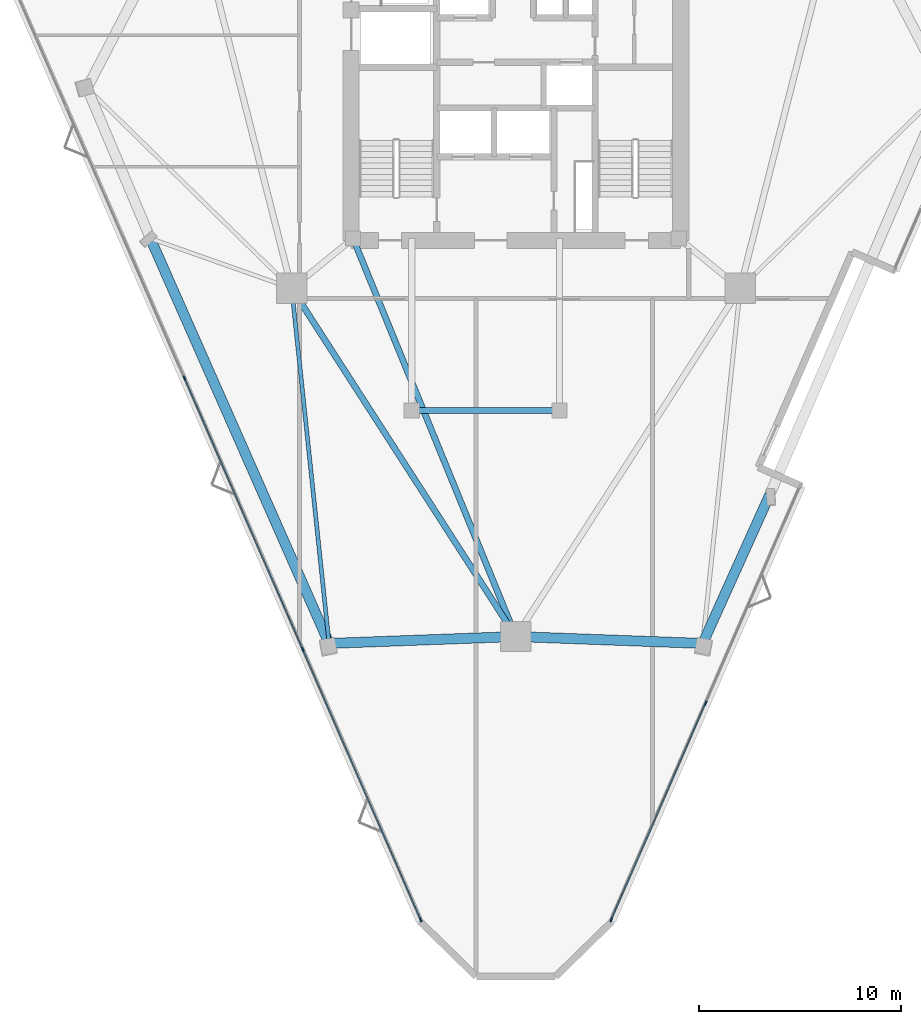
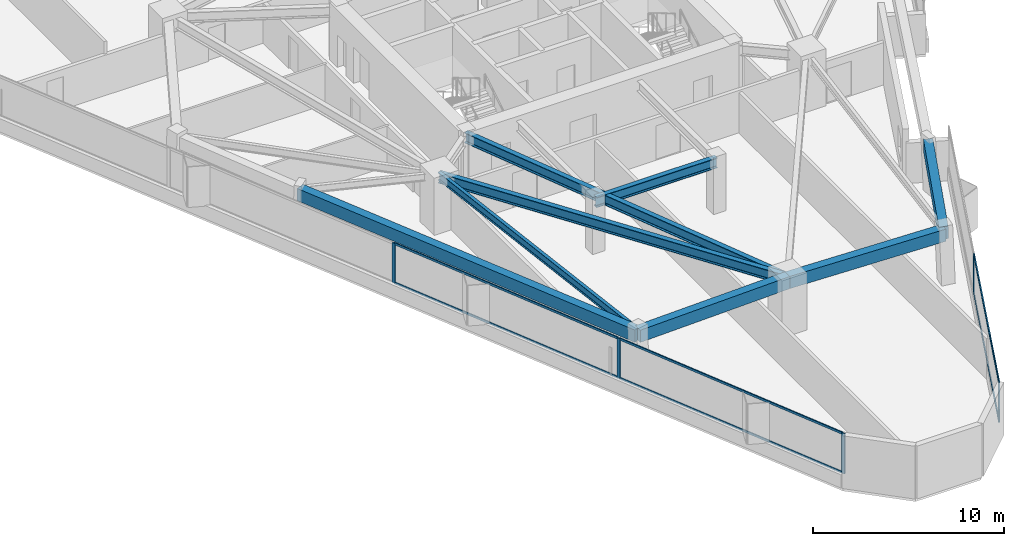
# One storey, part 2 of 12: 11 members, 8 beams, 2 elements without a shape of their own.
"""IFC4 building model written with IfcOpenShell, lengths in metres."""

from ifc_helpers import new_model, si_unit, direction, frame, origin, origin_2d, place, context, subcontext, project, spatial, rectangle, i_section, extrude, material, layer, layer_set, material_profile, profile_set, type_object, element, aggregate, save


model = new_model("IFC4")

# Units and contexts
model_context = context("Model", 3, precision=1e-05, world=origin(), true_north=direction((0.0, 1.0)))
body_context = subcontext(model_context, "Body", "Model", "MODEL_VIEW")
ifc_project = project(units=[si_unit("LENGTHUNIT", "METRE"), si_unit("AREAUNIT", "SQUARE_METRE"), si_unit("VOLUMEUNIT", "CUBIC_METRE"), si_unit("PLANEANGLEUNIT", "RADIAN"), si_unit("MASSUNIT", "GRAM", prefix="KILO")], contexts=[model_context])

# Site, building, storey
site_placement = place(None, origin())
site = spatial("IfcSite", under=ifc_project, at=site_placement, CompositionType="ELEMENT")
building_placement = place(site_placement, origin())
building = spatial("IfcBuilding", under=site, at=building_placement, Name="Talyreon Biosciences Tower", CompositionType="ELEMENT")
storey_placement = place(building_placement, frame((0.0, 0.0, 152.75)))
storey = spatial("IfcBuildingStorey", under=building, at=storey_placement, Name="L40", CompositionType="ELEMENT", Elevation=152.75)

# Curtain wall, members
ifc_material_1 = material(Name="Thermally broken aluminium and low-E glazing", Category="aluminium")
ifc_layer = layer(ifc_material_1, 0.205078125)
ifc_layer_set = layer_set([ifc_layer], Name="Thermally broken aluminium and low-E glazing")
curtain_wall_type = type_object("IfcCurtainWallType", Name="CurtainWall_SkyGardenLoggia", PredefinedType="NOTDEFINED", material=ifc_layer_set)
curtain_wall_1_placement = place(storey_placement, origin())
curtain_wall_1 = element("IfcCurtainWall", 1, at=curtain_wall_1_placement, inside=storey, type_object=curtain_wall_type, Name="L40 Unitised Curtain Wall FCW-L40-11", PredefinedType="NOTDEFINED")
ifc_material_2 = material(Name="Anodised thermally broken aluminium", Category="aluminium")
ifc_material_profile_1 = material_profile(ifc_material_2, rectangle(XDim=0.074951171875, YDim=0.2099609375, at=origin_2d()), Name="ALUM MULLION 75x210")
ifc_profile_set_1 = profile_set([ifc_material_profile_1], Name="Anodised thermally broken aluminium")
member_type_1 = type_object("IfcMemberType", Name="CWMullion_75x210", PredefinedType="MULLION", material=ifc_profile_set_1)
member_1_placement = place(storey_placement, frame((75.38232421875, 38.379638671875, 0.81005859375), z_axis=(0.0, 0.0, 1.0), x_axis=(0.916646919811, -0.399697916434, 0.0)))
member_1 = element("IfcMember", 2, at=member_1_placement, type_object=member_type_1, Name="CW7 mullion 2", PredefinedType="MULLION", context=body_context, shape_type="SweptSolid", body=[
    extrude(rectangle(XDim=0.074951171875, YDim=0.2099609375, at=origin_2d()), origin(), (0.0, 0.0, 1.0), 2.56494140625),
])
member_2_placement = place(storey_placement, frame((70.708251953125, 27.66064453125, 0.81005859375), z_axis=(0.0, 0.0, 1.0), x_axis=(0.916646919811, -0.399697916434, 0.0)))
member_2 = element("IfcMember", 3, at=member_2_placement, type_object=member_type_1, Name="CW7 mullion 3", PredefinedType="MULLION", context=body_context, shape_type="SweptSolid", body=[
    extrude(rectangle(XDim=0.074951171875, YDim=0.2099609375, at=origin_2d()), origin(), (0.0, 0.0, 1.0), 2.56494140625),
])

curtain_wall_2_placement = place(storey_placement, origin())
curtain_wall_2 = element("IfcCurtainWall", 4, at=curtain_wall_2_placement, inside=storey, type_object=curtain_wall_type, Name="L40 Unitised Curtain Wall FCW-L40-15", PredefinedType="NOTDEFINED")
member_3_placement = place(storey_placement, frame((61.291748046875, 27.66064453125, 0.81005859375), z_axis=(0.0, 0.0, 1.0), x_axis=(-0.916646882049, -0.399698003034, 0.0)))
member_3 = element("IfcMember", 5, at=member_3_placement, type_object=member_type_1, Name="CW7 mullion 1", PredefinedType="MULLION", context=body_context, shape_type="SweptSolid", body=[
    extrude(rectangle(XDim=0.074951171875, YDim=0.2099609375, at=origin_2d()), origin(), (0.0, 0.0, 1.0), 2.56494140625),
])
member_4_placement = place(storey_placement, frame((55.458740234375, 41.037841796875, 0.81005859375), z_axis=(0.0, 0.0, 1.0), x_axis=(-0.916646882049, -0.399698003034, 0.0)))
member_4 = element("IfcMember", 6, at=member_4_placement, type_object=member_type_1, Name="CW7 mullion 2", PredefinedType="MULLION", context=body_context, shape_type="SweptSolid", body=[
    extrude(rectangle(XDim=0.074951171875, YDim=0.2099609375, at=origin_2d()), origin(), (0.0, 0.0, 1.0), 2.56494140625),
])
member_5_placement = place(storey_placement, frame((49.610595703125, 54.449462890625, 0.81005859375), z_axis=(0.0, 0.0, 1.0), x_axis=(-0.916646882049, -0.399698003034, 0.0)))
member_5 = element("IfcMember", 7, at=member_5_placement, type_object=member_type_1, Name="CW7 mullion 3", PredefinedType="MULLION", context=body_context, shape_type="SweptSolid", body=[
    extrude(rectangle(XDim=0.074951171875, YDim=0.2099609375, at=origin_2d()), origin(), (0.0, 0.0, 1.0), 2.56494140625),
])

# Member
ifc_material_profile_2 = material_profile(ifc_material_2, rectangle(XDim=0.06494140625, YDim=0.139892578125, at=origin_2d()), Name="ALUM TRANSOM 65x140")
ifc_profile_set_2 = profile_set([ifc_material_profile_2], Name="Anodised thermally broken aluminium")
member_type_2 = type_object("IfcMemberType", Name="CWTransom_65x140", PredefinedType="USERDEFINED", material=ifc_profile_set_2)
member_6_placement = place(storey_placement, frame((75.3671875, 38.34521484375, 0.842529296875), z_axis=(-0.399688648793, -0.916650960849, 0.0), x_axis=(0.916650960849, -0.399688648793, 0.0)))
member_6 = element("IfcMember", 8, at=member_6_placement, type_object=member_type_2, Name="CW7 transom 2.1", ObjectType="TRANSOM", PredefinedType="USERDEFINED", context=body_context, shape_type="SweptSolid", body=[
    extrude(rectangle(XDim=0.06494140625, YDim=0.139892578125, at=origin_2d()), origin(), (0.0, 0.0, 1.0), 11.61865234375),
])

member_7_placement = place(storey_placement, frame((75.3671875, 38.34521484375, 3.342529296875), z_axis=(-0.399688648793, -0.916650960849, 0.0), x_axis=(0.916650960849, -0.399688648793, 0.0)))
member_7 = element("IfcMember", 9, at=member_7_placement, type_object=member_type_2, Name="CW7 transom 2.2", ObjectType="TRANSOM", PredefinedType="USERDEFINED", context=body_context, shape_type="SweptSolid", body=[
    extrude(rectangle(XDim=0.06494140625, YDim=0.139892578125, at=origin_2d()), origin(), (0.0, 0.0, 1.0), 11.61865234375),
])

aggregate(curtain_wall_1, [member_1, member_2, member_6, member_7])

member_8_placement = place(storey_placement, frame((61.276611328125, 27.695068359375, 0.842529296875), z_axis=(-0.399695565989, 0.916647944703, 0.0), x_axis=(-0.916647944703, -0.399695565989, 0.0)))
member_8 = element("IfcMember", 10, at=member_8_placement, type_object=member_type_2, Name="CW7 transom 1.1", ObjectType="TRANSOM", PredefinedType="USERDEFINED", context=body_context, shape_type="SweptSolid", body=[
    extrude(rectangle(XDim=0.06494140625, YDim=0.139892578125, at=origin_2d()), origin(), (0.0, 0.0, 1.0), 14.5185546875),
])

member_9_placement = place(storey_placement, frame((61.276611328125, 27.695068359375, 3.342529296875), z_axis=(-0.399695565989, 0.916647944703, 0.0), x_axis=(-0.916647944703, -0.399695565989, 0.0)))
member_9 = element("IfcMember", 11, at=member_9_placement, type_object=member_type_2, Name="CW7 transom 1.2", ObjectType="TRANSOM", PredefinedType="USERDEFINED", context=body_context, shape_type="SweptSolid", body=[
    extrude(rectangle(XDim=0.06494140625, YDim=0.139892578125, at=origin_2d()), origin(), (0.0, 0.0, 1.0), 14.5185546875),
])

member_10_placement = place(storey_placement, frame((55.443603515625, 41.072265625, 0.842529296875), z_axis=(-0.399696725233, 0.916647439225, 0.0), x_axis=(-0.916647439225, -0.399696725233, 0.0)))
member_10 = element("IfcMember", 12, at=member_10_placement, type_object=member_type_2, Name="CW7 transom 2.1", ObjectType="TRANSOM", PredefinedType="USERDEFINED", context=body_context, shape_type="SweptSolid", body=[
    extrude(rectangle(XDim=0.06494140625, YDim=0.139892578125, at=origin_2d()), origin(), (0.0, 0.0, 1.0), 14.556396484375),
])

member_11_placement = place(storey_placement, frame((55.443603515625, 41.072265625, 3.342529296875), z_axis=(-0.399696725233, 0.916647439225, 0.0), x_axis=(-0.916647439225, -0.399696725233, 0.0)))
member_11 = element("IfcMember", 13, at=member_11_placement, type_object=member_type_2, Name="CW7 transom 2.2", ObjectType="TRANSOM", PredefinedType="USERDEFINED", context=body_context, shape_type="SweptSolid", body=[
    extrude(rectangle(XDim=0.06494140625, YDim=0.139892578125, at=origin_2d()), origin(), (0.0, 0.0, 1.0), 14.556396484375),
])

aggregate(curtain_wall_2, [member_3, member_4, member_5, member_8, member_9, member_10, member_11])

# Beams
ifc_material_3 = material(Name="Precast concrete C45/55", Category="concrete")
ifc_material_profile_3 = material_profile(ifc_material_3, rectangle(XDim=0.5, YDim=0.780029296875, at=origin_2d()), Name="RCB 500x780")
ifc_profile_set_3 = profile_set([ifc_material_profile_3], Name="Precast concrete C45/55")
beam_type_1 = type_object("IfcBeamType", Name="ExpressedSpandrel_500x780", PredefinedType="SPANDREL", material=ifc_profile_set_3)
beam_1_placement = place(storey_placement, frame((66.0, 41.6669921875, 2.985107421875), z_axis=(0.999321835596, -0.036822125154, 0.0), x_axis=(0.036822125154, 0.999321835596, 0.0)))
element("IfcBeam", 14, at=beam_1_placement, inside=storey, type_object=beam_type_1, Name="L40 Expressed Horizontal Concrete Spandrel 01", PredefinedType="SPANDREL", context=body_context, shape_type="SweptSolid", body=[
    extrude(rectangle(XDim=0.5, YDim=0.780029296875, at=origin_2d()), origin(), (0.0, 0.0, 1.0), 9.24267578125),
])
beam_2_placement = place(storey_placement, frame((75.236328125, 41.32666015625, 2.985107421875), z_axis=(0.410924743514, 0.911669268522, 0.0), x_axis=(-0.911669268522, 0.410924743514, 0.0)))
element("IfcBeam", 15, at=beam_2_placement, inside=storey, type_object=beam_type_1, Name="L40 Expressed Horizontal Concrete Spandrel 02", PredefinedType="SPANDREL", context=body_context, shape_type="SweptSolid", body=[
    extrude(rectangle(XDim=0.5, YDim=0.780029296875, at=origin_2d()), origin(), (0.0, 0.0, 1.0), 8.064697265625),
])
beam_3_placement = place(storey_placement, frame((47.926025390625, 61.3515625, 2.985107421875), z_axis=(0.403759931849, -0.914864972241, 0.0), x_axis=(0.914864972241, 0.403759931849, 0.0)))
element("IfcBeam", 16, at=beam_3_placement, inside=storey, type_object=beam_type_1, Name="L40 Expressed Horizontal Concrete Spandrel 11", PredefinedType="SPANDREL", context=body_context, shape_type="SweptSolid", body=[
    extrude(rectangle(XDim=0.5, YDim=0.780029296875, at=origin_2d()), origin(), (0.0, 0.0, 1.0), 21.888427734375),
])
beam_4_placement = place(storey_placement, frame((56.763671875, 41.32666015625, 2.985107421875), z_axis=(0.999321835596, 0.036822125154, 0.0), x_axis=(-0.036822125154, 0.999321835596, 0.0)))
element("IfcBeam", 17, at=beam_4_placement, inside=storey, type_object=beam_type_1, Name="L40 Expressed Horizontal Concrete Spandrel 12", PredefinedType="SPANDREL", context=body_context, shape_type="SweptSolid", body=[
    extrude(rectangle(XDim=0.5, YDim=0.780029296875, at=origin_2d()), origin(), (0.0, 0.0, 1.0), 9.24267578125),
])
ifc_material_4 = material(Name="Steel SM355", Category="steel")
ifc_material_profile_4 = material_profile(ifc_material_4, i_section(OverallWidth=0.300048828125, OverallDepth=0.64990234375, WebThickness=0.01611328125, FlangeThickness=0.031005859375, FilletRadius=0.027099609375, at=origin_2d()), Name="HE650B")
ifc_profile_set_4 = profile_set([ifc_material_profile_4], Name="Steel SM355")
beam_type_2 = type_object("IfcBeamType", Name="SteelBeam_HE650B", PredefinedType="BEAM", material=ifc_profile_set_4)
beam_5_placement = place(storey_placement, frame((54.913818359375, 58.88037109375, 3.050048828125), z_axis=(0.541463723609, -0.840724114092, 0.0), x_axis=(0.840724114092, 0.541463723609, 0.0)))
element("IfcBeam", 18, at=beam_5_placement, inside=storey, type_object=beam_type_2, Name="L40 Mega-Ring Girder 6", PredefinedType="BEAM", context=body_context, shape_type="SweptSolid", body=[
    extrude(i_section(OverallWidth=0.300048828125, OverallDepth=0.64990234375, WebThickness=0.01611328125, FlangeThickness=0.031005859375, FilletRadius=0.027099609375, at=origin_2d()), origin(), (0.0, 0.0, 1.0), 20.474365234375),
])
beam_6_placement = place(storey_placement, frame((57.949951171875, 61.35009765625, 3.050048828125), z_axis=(0.378547014545, -0.925582064314, 0.0), x_axis=(0.925582064314, 0.378547014545, 0.0)))
element("IfcBeam", 19, at=beam_6_placement, inside=storey, type_object=beam_type_2, Name="L40 Radial Primary Girder 1", PredefinedType="BEAM", context=body_context, shape_type="SweptSolid", body=[
    extrude(i_section(OverallWidth=0.300048828125, OverallDepth=0.64990234375, WebThickness=0.01611328125, FlangeThickness=0.031005859375, FilletRadius=0.027099609375, at=origin_2d()), origin(), (0.0, 0.0, 1.0), 21.265625),
])
beam_7_placement = place(storey_placement, frame((60.85009765625, 52.840087890625, 3.050048828125), z_axis=(1.0, 0.0, 0.0), x_axis=(0.0, 1.0, 0.0)))
element("IfcBeam", 20, at=beam_7_placement, inside=storey, type_object=beam_type_2, Name="L40 Crown Shaft Spine Girder S", PredefinedType="BEAM", context=body_context, shape_type="SweptSolid", body=[
    extrude(i_section(OverallWidth=0.300048828125, OverallDepth=0.64990234375, WebThickness=0.01611328125, FlangeThickness=0.031005859375, FilletRadius=0.027099609375, at=origin_2d()), origin(), (0.0, 0.0, 1.0), 7.2998046875),
])
ifc_material_profile_5 = material_profile(ifc_material_4, i_section(OverallWidth=0.199951171875, OverallDepth=0.5, WebThickness=0.01025390625, FlangeThickness=0.01611328125, FilletRadius=0.02099609375, at=origin_2d()), Name="IPE500")
ifc_profile_set_5 = profile_set([ifc_material_profile_5], Name="Steel SM355")
beam_type_3 = type_object("IfcBeamType", Name="SteelJoist_IPE500", PredefinedType="JOIST", material=ifc_profile_set_5)
beam_8_placement = place(storey_placement, frame((54.913818359375, 58.88037109375, 3.125), z_axis=(0.104802144092, -0.994493092281, 0.0), x_axis=(0.994493092281, 0.104802144092, 0.0)))
element("IfcBeam", 21, at=beam_8_placement, inside=storey, type_object=beam_type_3, Name="L40 Radial Composite Floor Joist PC-SW2", PredefinedType="JOIST", context=body_context, shape_type="SweptSolid", body=[
    extrude(i_section(OverallWidth=0.199951171875, OverallDepth=0.5, WebThickness=0.01025390625, FlangeThickness=0.01611328125, FilletRadius=0.02099609375, at=origin_2d()), origin(), (0.0, 0.0, 1.0), 17.65087890625),
])

save(model, "model.ifc")
